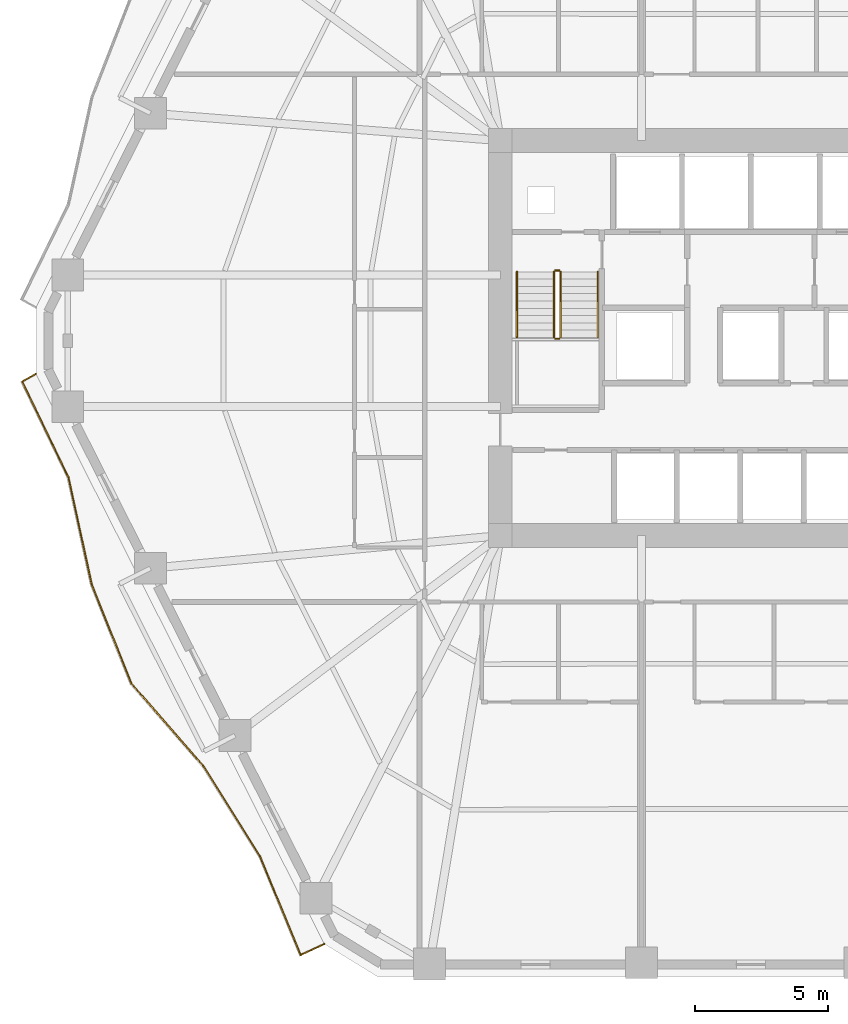
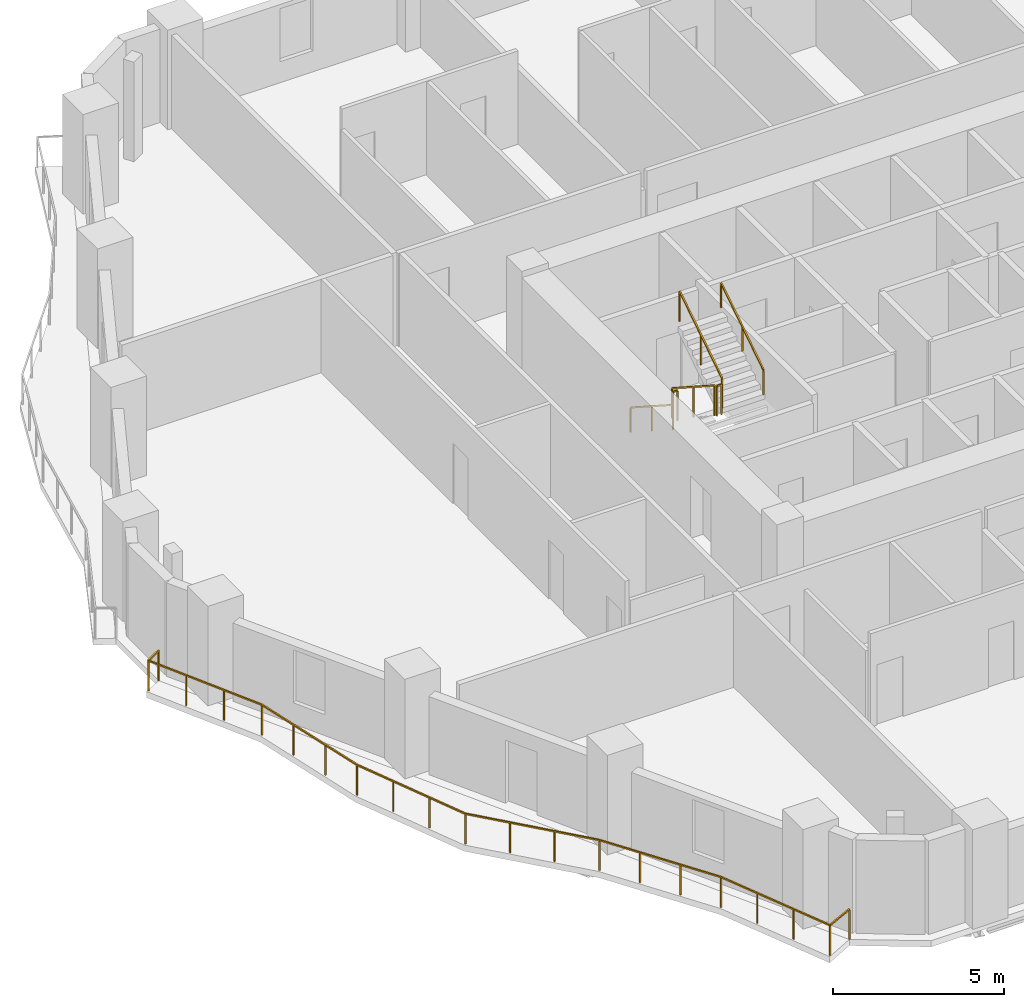
# One storey, part 9 of 11: 7 railings.
"""IFC4 building model written with IfcOpenShell, lengths in metres."""

from ifc_helpers import new_model, si_unit, direction, frame, origin, origin_2d, place, context, subcontext, project, spatial, rectangle, extrude, material, type_object, element, save


model = new_model("IFC4")

# Units and contexts
model_context = context("Model", 3, precision=1e-05, world=origin(), true_north=direction((0.0, 1.0)))
body_context = subcontext(model_context, "Body", "Model", "MODEL_VIEW")
ifc_project = project(units=[si_unit("LENGTHUNIT", "METRE"), si_unit("AREAUNIT", "SQUARE_METRE"), si_unit("VOLUMEUNIT", "CUBIC_METRE"), si_unit("PLANEANGLEUNIT", "RADIAN"), si_unit("MASSUNIT", "GRAM", prefix="KILO")], contexts=[model_context])

# Site, building, storey
site_placement = place(None, origin())
site = spatial("IfcSite", under=ifc_project, at=site_placement, CompositionType="ELEMENT")
building_placement = place(site_placement, origin())
building = spatial("IfcBuilding", under=site, at=building_placement, Name="Cinnabar Lancet Tower", CompositionType="ELEMENT")
storey_placement = place(building_placement, frame((0.0, 0.0, 60.39990234375)))
storey = spatial("IfcBuildingStorey", under=building, at=storey_placement, Name="L15", CompositionType="ELEMENT", Elevation=60.39990234375)

# Railings
ifc_material_1 = material(Name="Laminated safety glass and bronze stainless steel balustrade", Category="steel")
railing_type_1 = type_object("IfcRailingType", Name="ENV-RLG-BAL-1100", PredefinedType="BALUSTRADE", material=ifc_material_1)
railing_1_placement = place(storey_placement, frame((5.431884765625, 24.551025390625, 0.0)))
element("IfcRailing", 1, at=railing_1_placement, inside=storey, type_object=railing_type_1, Name="L15 Face 6 Wave Balcony Balustrade", PredefinedType="BALUSTRADE", context=body_context, shape_type="SweptSolid", body=[
    extrude(rectangle(XDim=0.048095703125, YDim=0.048095703125, at=origin_2d()), frame((0.0, 0.0, 1.076171875), z_axis=(-0.869556970702, -0.493832638354, 0.0), x_axis=(0.493832638354, -0.869556970702, 0.0)), (0.0, 0.0, 1.0), 0.59326171875),
    extrude(rectangle(XDim=0.048095703125, YDim=0.048095703125, at=origin_2d()), frame((-0.515869140625, -0.29296875, 1.076171875), z_axis=(0.435452631287, -0.900211645062, 0.0), x_axis=(0.900211645062, 0.435452631287, 0.0)), (0.0, 0.0, 1.0), 4.007080078125),
    extrude(rectangle(XDim=0.048095703125, YDim=0.048095703125, at=origin_2d()), frame((1.22900390625, -3.900146484375, 1.076171875), z_axis=(0.212113815657, -0.977244968883, 0.0), x_axis=(0.977244968883, 0.212113815657, 0.0)), (0.0, 0.0, 1.0), 4.14013671875),
    extrude(rectangle(XDim=0.048095703125, YDim=0.048095703125, at=origin_2d()), frame((2.107177734375, -7.946044921875, 1.076171875), z_axis=(0.371840861534, -0.928296490187, 0.0), x_axis=(0.928296490187, 0.371840861534, 0.0)), (0.0, 0.0, 1.0), 4.020263671875),
    extrude(rectangle(XDim=0.048095703125, YDim=0.048095703125, at=origin_2d()), frame((3.60205078125, -11.677978515625, 1.076171875), z_axis=(0.657579966246, -0.753384754287, 0.0), x_axis=(0.753384754287, 0.657579966246, 0.0)), (0.0, 0.0, 1.0), 4.13330078125),
    extrude(rectangle(XDim=0.048095703125, YDim=0.048095703125, at=origin_2d()), frame((6.320068359375, -14.7919921875, 1.076171875), z_axis=(0.530789808206, -0.847503498226, 0.0), x_axis=(0.847503498226, 0.530789808206, 0.0)), (0.0, 0.0, 1.0), 4.022216796875),
    extrude(rectangle(XDim=0.048095703125, YDim=0.048095703125, at=origin_2d()), frame((8.455078125, -18.200927734375, 1.076171875), z_axis=(0.380762020659, -0.924673068508, 0.0), x_axis=(0.924673068508, 0.380762020659, 0.0)), (0.0, 0.0, 1.0), 4.02099609375),
    extrude(rectangle(XDim=0.048095703125, YDim=0.048095703125, at=origin_2d()), frame((9.986083984375, -21.9189453125, 1.076171875), z_axis=(0.906271634877, 0.422695781641, 0.0), x_axis=(-0.422695781641, 0.906271634877, 0.0)), (0.0, 0.0, 1.0), 0.986572265625),
    extrude(rectangle(XDim=0.0419921875, YDim=0.0419921875, at=origin_2d()), origin(), (0.0, 0.0, 1.0), 1.052001953125),
    extrude(rectangle(XDim=0.0419921875, YDim=0.0419921875, at=origin_2d()), frame((-0.515869140625, -0.29296875, 0.0)), (0.0, 0.0, 1.0), 1.052001953125),
    extrude(rectangle(XDim=0.0419921875, YDim=0.0419921875, at=origin_2d()), frame((0.065673828125, -1.495361328125, 0.0)), (0.0, 0.0, 1.0), 1.052001953125),
    extrude(rectangle(XDim=0.0419921875, YDim=0.0419921875, at=origin_2d()), frame((0.6474609375, -2.69775390625, 0.0)), (0.0, 0.0, 1.0), 1.052001953125),
    extrude(rectangle(XDim=0.0419921875, YDim=0.0419921875, at=origin_2d()), frame((1.22900390625, -3.900146484375, 0.0)), (0.0, 0.0, 1.0), 1.052001953125),
    extrude(rectangle(XDim=0.0419921875, YDim=0.0419921875, at=origin_2d()), frame((1.521728515625, -5.248779296875, 0.0)), (0.0, 0.0, 1.0), 1.052001953125),
    extrude(rectangle(XDim=0.0419921875, YDim=0.0419921875, at=origin_2d()), frame((1.814453125, -6.597412109375, 0.0)), (0.0, 0.0, 1.0), 1.052001953125),
    extrude(rectangle(XDim=0.0419921875, YDim=0.0419921875, at=origin_2d()), frame((2.107177734375, -7.946044921875, 0.0)), (0.0, 0.0, 1.0), 1.052001953125),
    extrude(rectangle(XDim=0.0419921875, YDim=0.0419921875, at=origin_2d()), frame((2.60546875, -9.18994140625, 0.0)), (0.0, 0.0, 1.0), 1.052001953125),
    extrude(rectangle(XDim=0.0419921875, YDim=0.0419921875, at=origin_2d()), frame((3.103759765625, -10.43408203125, 0.0)), (0.0, 0.0, 1.0), 1.052001953125),
    extrude(rectangle(XDim=0.0419921875, YDim=0.0419921875, at=origin_2d()), frame((3.60205078125, -11.677978515625, 0.0)), (0.0, 0.0, 1.0), 1.052001953125),
    extrude(rectangle(XDim=0.0419921875, YDim=0.0419921875, at=origin_2d()), frame((4.508056640625, -12.716064453125, 0.0)), (0.0, 0.0, 1.0), 1.052001953125),
    extrude(rectangle(XDim=0.0419921875, YDim=0.0419921875, at=origin_2d()), frame((5.4140625, -13.75390625, 0.0)), (0.0, 0.0, 1.0), 1.052001953125),
    extrude(rectangle(XDim=0.0419921875, YDim=0.0419921875, at=origin_2d()), frame((6.320068359375, -14.7919921875, 0.0)), (0.0, 0.0, 1.0), 1.052001953125),
    extrude(rectangle(XDim=0.0419921875, YDim=0.0419921875, at=origin_2d()), frame((7.03173828125, -15.92822265625, 0.0)), (0.0, 0.0, 1.0), 1.052001953125),
    extrude(rectangle(XDim=0.0419921875, YDim=0.0419921875, at=origin_2d()), frame((7.743408203125, -17.064697265625, 0.0)), (0.0, 0.0, 1.0), 1.052001953125),
    extrude(rectangle(XDim=0.0419921875, YDim=0.0419921875, at=origin_2d()), frame((8.455078125, -18.200927734375, 0.0)), (0.0, 0.0, 1.0), 1.052001953125),
    extrude(rectangle(XDim=0.0419921875, YDim=0.0419921875, at=origin_2d()), frame((8.96533203125, -19.440185546875, 0.0)), (0.0, 0.0, 1.0), 1.052001953125),
    extrude(rectangle(XDim=0.0419921875, YDim=0.0419921875, at=origin_2d()), frame((9.475830078125, -20.6796875, 0.0)), (0.0, 0.0, 1.0), 1.052001953125),
    extrude(rectangle(XDim=0.0419921875, YDim=0.0419921875, at=origin_2d()), frame((9.986083984375, -21.9189453125, 0.0)), (0.0, 0.0, 1.0), 1.052001953125),
    extrude(rectangle(XDim=0.0419921875, YDim=0.0419921875, at=origin_2d()), frame((10.880126953125, -21.501953125, 0.0)), (0.0, 0.0, 1.0), 1.052001953125),
])
ifc_material_2 = material(Name="Painted galvanized steel balustrade", Category="steel")
railing_type_2 = type_object("IfcRailingType", Name="GUARD-STAIR", PredefinedType="GUARDRAIL", material=ifc_material_2)
railing_2_placement = place(storey_placement, frame((24.97509765625, 28.39990234375, 0.177490234375)))
element("IfcRailing", 2, at=railing_2_placement, inside=storey, type_object=railing_type_2, Name="L15 ST-1 stair guard 1", PredefinedType="GUARDRAIL", context=body_context, shape_type="SweptSolid", body=[
    extrude(rectangle(XDim=0.048095703125, YDim=0.048095703125, at=origin_2d()), frame((0.0, 0.0, 1.076171875), z_axis=(0.0, -0.84014559416, 0.542360932049), x_axis=(1.0, 0.0, 0.0)), (0.0, 0.0, 1.0), 2.94580078125),
    extrude(rectangle(XDim=0.0419921875, YDim=0.0419921875, at=origin_2d()), origin(), (0.0, 0.0, 1.0), 1.052001953125),
    extrude(rectangle(XDim=0.0419921875, YDim=0.0419921875, at=origin_2d()), frame((0.0, -1.2373046875, 0.798828125)), (0.0, 0.0, 1.0), 1.052001953125),
    extrude(rectangle(XDim=0.0419921875, YDim=0.0419921875, at=origin_2d()), frame((0.0, -2.474853515625, 1.59765625)), (0.0, 0.0, 1.0), 1.052001953125),
])
railing_3_placement = place(storey_placement, frame((25.02490234375, 25.875, 1.775146484375)))
element("IfcRailing", 3, at=railing_3_placement, inside=storey, type_object=railing_type_2, Name="L15 ST-1 stair guard 2", PredefinedType="GUARDRAIL", context=body_context, shape_type="SweptSolid", body=[
    extrude(rectangle(XDim=0.048095703125, YDim=0.048095703125, at=origin_2d()), frame((0.0, 0.0, 1.076171875), z_axis=(1.0, 0.0, 0.0), x_axis=(0.0, 1.0, 0.0)), (0.0, 0.0, 1.0), 0.150146484375),
    extrude(rectangle(XDim=0.0419921875, YDim=0.0419921875, at=origin_2d()), origin(), (0.0, 0.0, 1.0), 1.052001953125),
    extrude(rectangle(XDim=0.0419921875, YDim=0.0419921875, at=origin_2d()), frame((0.150146484375, 0.0, 0.0)), (0.0, 0.0, 1.0), 1.052001953125),
])
railing_4_placement = place(storey_placement, frame((25.22509765625, 25.925048828125, 1.95263671875)))
element("IfcRailing", 4, at=railing_4_placement, inside=storey, type_object=railing_type_2, Name="L15 ST-1 stair guard 3", PredefinedType="GUARDRAIL", context=body_context, shape_type="SweptSolid", body=[
    extrude(rectangle(XDim=0.048095703125, YDim=0.048095703125, at=origin_2d()), frame((0.0, 0.0, 1.076171875), z_axis=(0.0, 0.840183358697, 0.542302428327), x_axis=(-1.0, 0.0, 0.0)), (0.0, 0.0, 1.0), 2.945556640625),
    extrude(rectangle(XDim=0.0419921875, YDim=0.0419921875, at=origin_2d()), origin(), (0.0, 0.0, 1.0), 1.052001953125),
    extrude(rectangle(XDim=0.0419921875, YDim=0.0419921875, at=origin_2d()), frame((0.0, 1.2373046875, 0.798828125)), (0.0, 0.0, 1.0), 1.052001953125),
    extrude(rectangle(XDim=0.0419921875, YDim=0.0419921875, at=origin_2d()), frame((0.0, 2.474853515625, 1.597412109375)), (0.0, 0.0, 1.0), 1.052001953125),
])
railing_5_placement = place(storey_placement, frame((25.02490234375, 28.449951171875, 0.0)))
element("IfcRailing", 5, at=railing_5_placement, inside=storey, type_object=railing_type_2, Name="L15 ST-1 stair guard 4", PredefinedType="GUARDRAIL", context=body_context, shape_type="SweptSolid", body=[
    extrude(rectangle(XDim=0.048095703125, YDim=0.048095703125, at=origin_2d()), frame((0.0, 0.0, 1.076171875), z_axis=(1.0, 0.0, 0.0), x_axis=(0.0, 1.0, 0.0)), (0.0, 0.0, 1.0), 0.150146484375),
    extrude(rectangle(XDim=0.0419921875, YDim=0.0419921875, at=origin_2d()), origin(), (0.0, 0.0, 1.0), 1.052001953125),
    extrude(rectangle(XDim=0.0419921875, YDim=0.0419921875, at=origin_2d()), frame((0.150146484375, 0.0, 0.0)), (0.0, 0.0, 1.0), 1.052001953125),
])
ifc_material_3 = material(Name="Brushed stainless steel handrail", Category="steel")
railing_type_3 = type_object("IfcRailingType", Name="HANDRAIL-STAIR", PredefinedType="HANDRAIL", material=ifc_material_3)
railing_6_placement = place(storey_placement, frame((23.574951171875, 28.39990234375, 0.177490234375)))
element("IfcRailing", 6, at=railing_6_placement, inside=storey, type_object=railing_type_3, Name="L15 ST-1 stair handrail 1", PredefinedType="HANDRAIL", context=body_context, shape_type="SweptSolid", body=[
    extrude(rectangle(XDim=0.048095703125, YDim=0.048095703125, at=origin_2d()), frame((0.0, 0.0, 0.8759765625), z_axis=(0.0, -0.84014559416, 0.542360932049), x_axis=(1.0, 0.0, 0.0)), (0.0, 0.0, 1.0), 2.94580078125),
    extrude(rectangle(XDim=0.0419921875, YDim=0.0419921875, at=origin_2d()), origin(), (0.0, 0.0, 1.0), 0.851806640625),
    extrude(rectangle(XDim=0.0419921875, YDim=0.0419921875, at=origin_2d()), frame((0.0, -1.2373046875, 0.798828125)), (0.0, 0.0, 1.0), 0.851806640625),
    extrude(rectangle(XDim=0.0419921875, YDim=0.0419921875, at=origin_2d()), frame((0.0, -2.474853515625, 1.59765625)), (0.0, 0.0, 1.0), 0.851806640625),
])
railing_7_placement = place(storey_placement, frame((26.625, 25.925048828125, 1.95263671875)))
element("IfcRailing", 7, at=railing_7_placement, inside=storey, type_object=railing_type_3, Name="L15 ST-1 stair handrail 2", PredefinedType="HANDRAIL", context=body_context, shape_type="SweptSolid", body=[
    extrude(rectangle(XDim=0.048095703125, YDim=0.048095703125, at=origin_2d()), frame((0.0, 0.0, 0.8759765625), z_axis=(0.0, 0.840183358697, 0.542302428327), x_axis=(-1.0, 0.0, 0.0)), (0.0, 0.0, 1.0), 2.945556640625),
    extrude(rectangle(XDim=0.0419921875, YDim=0.0419921875, at=origin_2d()), origin(), (0.0, 0.0, 1.0), 0.851806640625),
    extrude(rectangle(XDim=0.0419921875, YDim=0.0419921875, at=origin_2d()), frame((0.0, 1.2373046875, 0.798828125)), (0.0, 0.0, 1.0), 0.851806640625),
    extrude(rectangle(XDim=0.0419921875, YDim=0.0419921875, at=origin_2d()), frame((0.0, 2.474853515625, 1.597412109375)), (0.0, 0.0, 1.0), 0.851806640625),
])

save(model, "model.ifc")
